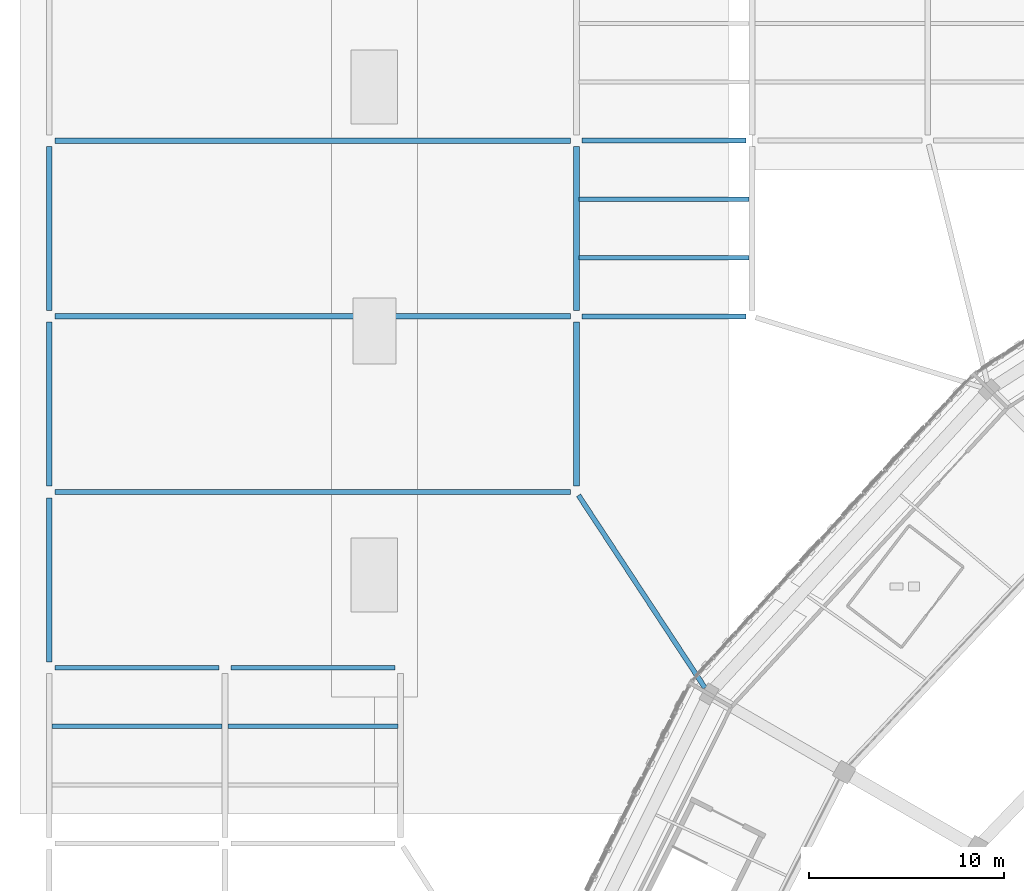
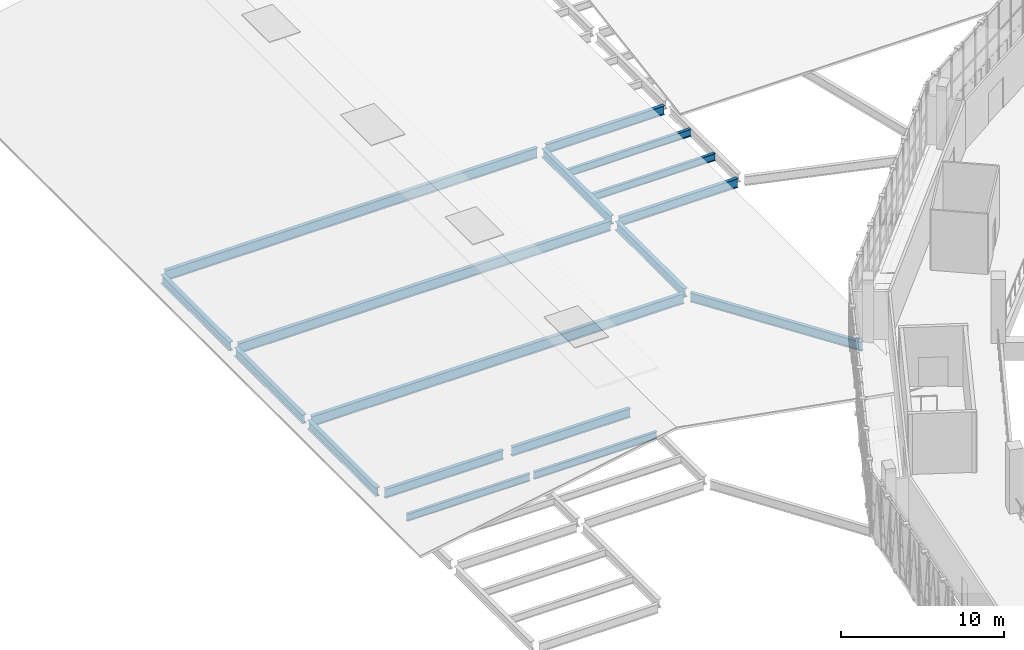
# One storey, part 32 of 108: 17 beams.
"""IFC4 building model written with IfcOpenShell, lengths in metres."""

from ifc_helpers import new_model, si_unit, direction, frame, origin, origin_2d, place, context, subcontext, project, spatial, i_section, extrude, material, material_profile, profile_set, type_object, element, save


model = new_model("IFC4")

# Units and contexts
model_context = context("Model", 3, precision=1e-05, world=origin(), true_north=direction((0.0, 1.0)))
body_context = subcontext(model_context, "Body", "Model", "MODEL_VIEW")
ifc_project = project(units=[si_unit("LENGTHUNIT", "METRE"), si_unit("AREAUNIT", "SQUARE_METRE"), si_unit("VOLUMEUNIT", "CUBIC_METRE"), si_unit("PLANEANGLEUNIT", "RADIAN"), si_unit("MASSUNIT", "GRAM", prefix="KILO")], contexts=[model_context])

# Site, building, storey
site_placement = place(None, origin())
site = spatial("IfcSite", under=ifc_project, at=site_placement, CompositionType="ELEMENT")
building_placement = place(site_placement, origin())
building = spatial("IfcBuilding", under=site, at=building_placement, Name="Zevraka Park Crest Stadium", CompositionType="ELEMENT")
storey_placement = place(building_placement, frame((0.0, 0.0, 19.800048828125)))
storey = spatial("IfcBuildingStorey", under=building, at=storey_placement, Name="L04", CompositionType="ELEMENT", Elevation=19.800048828125)

# Beams
ifc_material_1 = material(Name="Steel S355", Category="steel")
ifc_material_profile_1 = material_profile(ifc_material_1, i_section(OverallWidth=0.253662109375, OverallDepth=0.68359375, WebThickness=0.012451171875, FlangeThickness=0.01904296875, at=origin_2d()), Name="UKB 686x254x140")
ifc_profile_set_1 = profile_set([ifc_material_profile_1], Name="Steel S355")
beam_type_1 = type_object("IfcBeamType", Name="BG05", PredefinedType="BEAM", material=ifc_profile_set_1)
for number, where, z_axis, x_axis, name in (
    (1, (0.300048828125, 131.0, -0.60986328125), (1.0, 0.0, 0.0), (0.0, 1.0, 0.0), "Wing Girder BG05 L04-12/Q"),
    (2, (9.300048828125, 131.0, -0.60986328125), (1.0, 0.0, 0.0), (0.0, 1.0, 0.0), "Wing Girder BG05 L04-23/Q"),
):
    element("IfcBeam", number, at=place(storey_placement, frame(where, z_axis=z_axis, x_axis=x_axis)), inside=storey, type_object=beam_type_1, Name=name, PredefinedType="BEAM", context=body_context, shape_type="SweptSolid", body=[
        extrude(i_section(OverallWidth=0.253662109375, OverallDepth=0.68359375, WebThickness=0.012451171875, FlangeThickness=0.01904296875, at=origin_2d()), origin(), (0.0, 0.0, 1.0), 8.39990234375),
    ])
beam_placement = place(storey_placement, frame((27.110107421875, 139.8330078125, -0.60986328125), z_axis=(0.548958685994, -0.835849484699, 0.0), x_axis=(0.835849484699, 0.548958685994, 0.0)))
element("IfcBeam", 3, at=beam_placement, inside=storey, type_object=beam_type_1, Name="Wing Link Girder BG05 L04-4/R", PredefinedType="BEAM", context=body_context, shape_type="SweptSolid", body=[
    extrude(i_section(OverallWidth=0.253662109375, OverallDepth=0.68359375, WebThickness=0.012451171875, FlangeThickness=0.01904296875, at=origin_2d()), origin(), (0.0, 0.0, 1.0), 11.80224609375),
])
for number, where, z_axis, x_axis, name in (
    (4, (27.300048828125, 149.0, -0.60986328125), (1.0, 0.0, 0.0), (0.0, 1.0, 0.0), "Wing Girder BG05 L04-45/S"),
    (5, (27.300048828125, 158.0, -0.60986328125), (1.0, 0.0, 0.0), (0.0, 1.0, 0.0), "Wing Girder BG05 L04-45/T"),
):
    element("IfcBeam", number, at=place(storey_placement, frame(where, z_axis=z_axis, x_axis=x_axis)), inside=storey, type_object=beam_type_1, Name=name, PredefinedType="BEAM", context=body_context, shape_type="SweptSolid", body=[
        extrude(i_section(OverallWidth=0.253662109375, OverallDepth=0.68359375, WebThickness=0.012451171875, FlangeThickness=0.01904296875, at=origin_2d()), origin(), (0.0, 0.0, 1.0), 8.39990234375),
    ])
ifc_material_2 = material(Name="Steel S355", Category="steel")
ifc_material_profile_2 = material_profile(ifc_material_2, i_section(OverallWidth=0.300048828125, OverallDepth=0.64990234375, WebThickness=0.01611328125, FlangeThickness=0.031005859375, at=origin_2d()), Name="HEB 650")
ifc_profile_set_2 = profile_set([ifc_material_profile_2], Name="Steel S355")
beam_type_2 = type_object("IfcBeamType", Name="BG07", PredefinedType="BEAM", material=ifc_profile_set_2)
for number, where, z_axis, x_axis, name in (
    (6, (0.0, 131.300048828125, -0.593017578125), (0.0, 1.0, 0.0), (-1.0, 0.0, 0.0), "Wing Girder BG07 L04-1/QR"),
    (7, (0.0, 140.300048828125, -0.593017578125), (0.0, 1.0, 0.0), (-1.0, 0.0, 0.0), "Wing Girder BG07 L04-1/RS"),
    (8, (0.0, 149.300048828125, -0.593017578125), (0.0, 1.0, 0.0), (-1.0, 0.0, 0.0), "Wing Girder BG07 L04-1/ST"),
    (9, (27.0, 140.300048828125, -0.593017578125), (0.0, 1.0, 0.0), (-1.0, 0.0, 0.0), "Wing Girder BG07 L04-4/RS"),
    (10, (27.0, 149.300048828125, -0.593017578125), (0.0, 1.0, 0.0), (-1.0, 0.0, 0.0), "Wing Girder BG07 L04-4/ST"),
):
    element("IfcBeam", number, at=place(storey_placement, frame(where, z_axis=z_axis, x_axis=x_axis)), inside=storey, type_object=beam_type_2, Name=name, PredefinedType="BEAM", context=body_context, shape_type="SweptSolid", body=[
        extrude(i_section(OverallWidth=0.300048828125, OverallDepth=0.64990234375, WebThickness=0.01611328125, FlangeThickness=0.031005859375, at=origin_2d()), origin(), (0.0, 0.0, 1.0), 8.39990234375),
    ])
ifc_material_3 = material(Name="Steel S355", Category="steel")
ifc_material_profile_3 = material_profile(ifc_material_3, i_section(OverallWidth=0.26708984375, OverallDepth=0.761962890625, WebThickness=0.014404296875, FlangeThickness=0.021484375, at=origin_2d()), Name="UKB 762x267x173")
ifc_profile_set_3 = profile_set([ifc_material_profile_3], Name="Steel S355")
beam_type_3 = type_object("IfcBeamType", Name="BG08", PredefinedType="BEAM", material=ifc_profile_set_3)
for number, where, z_axis, x_axis, name in (
    (11, (0.300048828125, 140.0, -0.649169921875), (1.0, 0.0, 0.0), (0.0, 1.0, 0.0), "Wing Girder BG08 L04-14/R"),
    (12, (0.300048828125, 149.0, -0.649169921875), (1.0, 0.0, 0.0), (0.0, 1.0, 0.0), "Wing Girder BG08 L04-14/S"),
    (13, (0.300048828125, 158.0, -0.649169921875), (1.0, 0.0, 0.0), (0.0, 1.0, 0.0), "Wing Girder BG08 L04-14/T"),
):
    element("IfcBeam", number, at=place(storey_placement, frame(where, z_axis=z_axis, x_axis=x_axis)), inside=storey, type_object=beam_type_3, Name=name, PredefinedType="BEAM", context=body_context, shape_type="SweptSolid", body=[
        extrude(i_section(OverallWidth=0.26708984375, OverallDepth=0.761962890625, WebThickness=0.014404296875, FlangeThickness=0.021484375, at=origin_2d()), origin(), (0.0, 0.0, 1.0), 26.39990234375),
    ])
ifc_material_4 = material(Name="Steel S355", Category="steel")
ifc_material_profile_4 = material_profile(ifc_material_4, i_section(OverallWidth=0.2099609375, OverallDepth=0.550048828125, WebThickness=0.010986328125, FlangeThickness=0.01708984375, at=origin_2d()), Name="IPE 550")
ifc_profile_set_4 = profile_set([ifc_material_profile_4], Name="Steel S355")
beam_type_4 = type_object("IfcBeamType", Name="SJ04", PredefinedType="JOIST", material=ifc_profile_set_4)
for number, where, z_axis, x_axis, name in (
    (14, (0.14501953125, 128.0, -0.545166015625), (1.0, 0.0, 0.0), (0.0, 1.0, 0.0), "Wing Joist SJ04 L04-1/P-2"),
    (15, (9.14501953125, 128.0, -0.545166015625), (1.0, 0.0, 0.0), (0.0, 1.0, 0.0), "Wing Joist SJ04 L04-2/P-2"),
    (16, (27.14501953125, 152.0, -0.545166015625), (1.0, 0.0, 0.0), (0.0, 1.0, 0.0), "Wing Joist SJ04 L04-4/S-1"),
    (17, (27.14501953125, 155.0, -0.545166015625), (1.0, 0.0, 0.0), (0.0, 1.0, 0.0), "Wing Joist SJ04 L04-4/S-2"),
):
    element("IfcBeam", number, at=place(storey_placement, frame(where, z_axis=z_axis, x_axis=x_axis)), inside=storey, type_object=beam_type_4, Name=name, PredefinedType="JOIST", context=body_context, shape_type="SweptSolid", body=[
        extrude(i_section(OverallWidth=0.2099609375, OverallDepth=0.550048828125, WebThickness=0.010986328125, FlangeThickness=0.01708984375, at=origin_2d()), origin(), (0.0, 0.0, 1.0), 8.7099609375),
    ])

save(model, "model.ifc")
